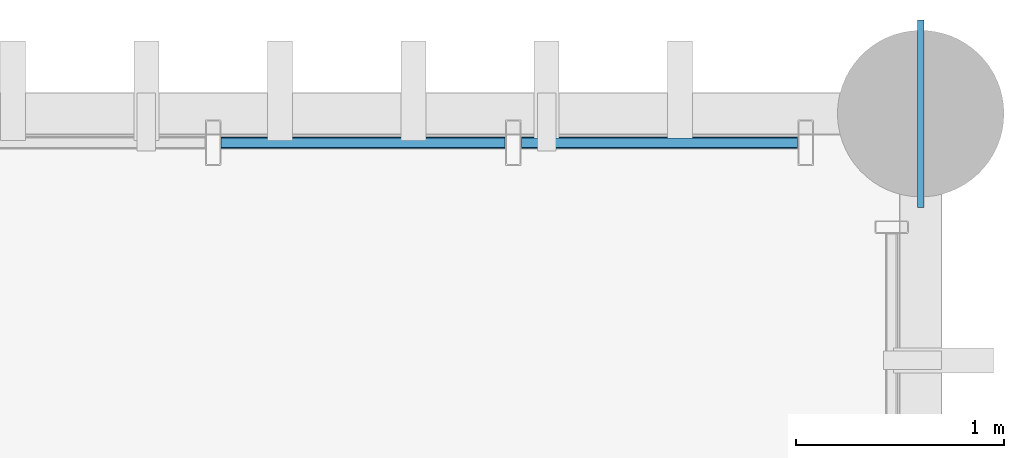
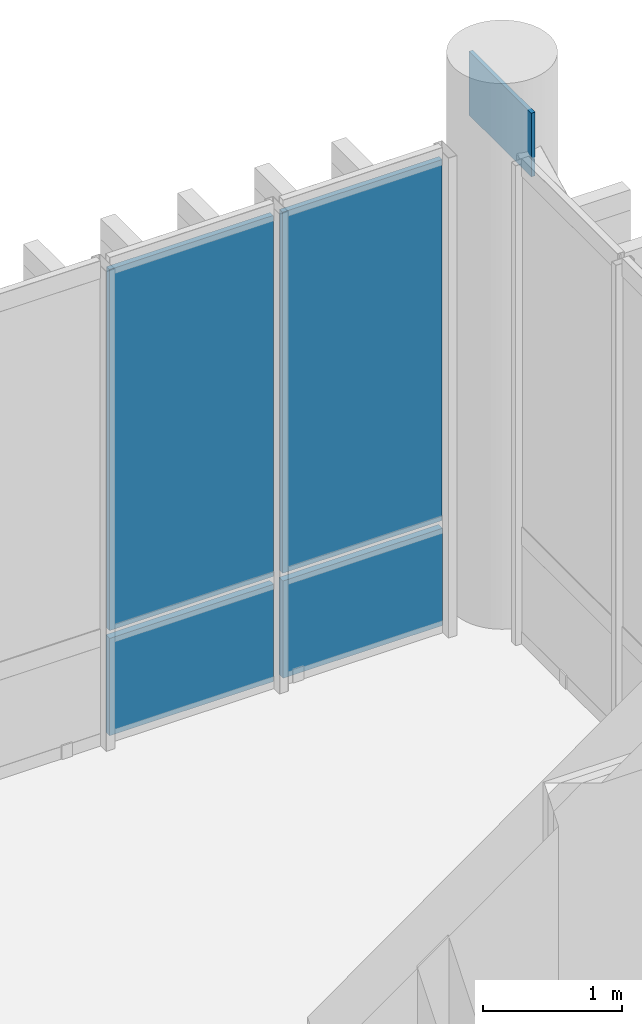
# One storey, part 88 of 109: 5 plates, 1 element without a shape of its own.
"""IFC4 building model written with IfcOpenShell, lengths in metres."""

from ifc_helpers import new_model, si_unit, direction, frame, frame_2d, origin_with_axes, origin_2d_with_axis, place, context, subcontext, project, spatial, rectangle, extrude, material, layer, layer_set, type_object, element, aggregate, save


model = new_model("IFC4")

# Units and contexts
model_context = context("Model", 3, precision=1e-05, world=origin_with_axes(), true_north=direction((0.0, 1.0)))
body_context = subcontext(model_context, "Body", "Model", "MODEL_VIEW")
ifc_project = project(units=[si_unit("LENGTHUNIT", "METRE"), si_unit("AREAUNIT", "SQUARE_METRE"), si_unit("VOLUMEUNIT", "CUBIC_METRE"), si_unit("PLANEANGLEUNIT", "RADIAN"), si_unit("MASSUNIT", "GRAM", prefix="KILO"), si_unit("THERMODYNAMICTEMPERATUREUNIT", "KELVIN")], contexts=[model_context])

# Site, building, storey
site_placement = place(None, origin_with_axes())
site = spatial("IfcSite", under=ifc_project, at=site_placement, CompositionType="ELEMENT")
building_placement = place(site_placement, origin_with_axes())
building = spatial("IfcBuilding", under=site, at=building_placement, Name="Montbau Bow Law Courts", CompositionType="ELEMENT")
storey_placement = place(building_placement, frame((0.0, 0.0, 10.8), z_axis=(0.0, 0.0, 1.0), x_axis=(1.0, 0.0, 0.0)))
storey = spatial("IfcBuildingStorey", under=building, at=storey_placement, Name="L02", CompositionType="ELEMENT", Elevation=10.8)

# Curtain wall, plates
ifc_material_1 = material(Name="Thermally Broken Extruded Aluminium AA 6063-T6", Category="aluminium")
curtain_wall_type = type_object("IfcCurtainWallType", Name="CW-SLT-01", PredefinedType="NOTDEFINED", material=ifc_material_1)
curtain_wall_placement = place(None, frame((163.115, 103.06, 10.8), z_axis=(0.0, 0.0, 1.0), x_axis=(1.0, 0.0, 0.0)))
curtain_wall = element("IfcCurtainWall", 1, at=curtain_wall_placement, inside=storey, type_object=curtain_wall_type, Name="CW-L02-300:cw_0300", PredefinedType="NOTDEFINED")
ifc_material_2 = material(Name="Triple-Glazed Low-E Argon Insulating Glass Unit", Category="glass")
ifc_layer_1 = layer(ifc_material_2, 0.044, Name="Curtain Panel", Category="glass")
ifc_layer_set_1 = layer_set([ifc_layer_1], Name="Triple-Glazed Low-E Argon Insulating Glass Unit")
plate_type_1 = type_object("IfcPlateType", Name="PL-CWP-01", PredefinedType="CURTAIN_PANEL", material=ifc_layer_set_1)
plate_1_placement = place(None, frame((166.039, 103.06, 11.782), z_axis=(0.0, -1.0, 0.0), x_axis=(1.0, 0.0, 0.0)))
plate_1 = element("IfcPlate", 2, at=plate_1_placement, type_object=plate_type_1, Name="CW-L02-300-P03-2:cw_0300_P03_2", PredefinedType="CURTAIN_PANEL", context=body_context, shape_type="SweptSolid", body=[
    extrude(rectangle(XDim=1.364, YDim=3.176, at=frame_2d((0.682, 1.588), x_axis=(1.0, 0.0))), frame((0.0, 0.0, -0.022), z_axis=(0.0, 0.0, 1.0), x_axis=(1.0, 0.0, 0.0)), (0.0, 0.0, 1.0), 0.044),
])
plate_2_placement = place(None, frame((167.481, 103.06, 11.782), z_axis=(0.0, -1.0, 0.0), x_axis=(1.0, 0.0, 0.0)))
plate_2 = element("IfcPlate", 3, at=plate_2_placement, type_object=plate_type_1, Name="CW-L02-300-P04-2:cw_0300_P04_2", PredefinedType="CURTAIN_PANEL", context=body_context, shape_type="SweptSolid", body=[
    extrude(rectangle(XDim=1.327, YDim=3.176, at=frame_2d((0.6635, 1.588), x_axis=(1.0, 0.0))), frame((0.0, 0.0, -0.022), z_axis=(0.0, 0.0, 1.0), x_axis=(1.0, 0.0, 0.0)), (0.0, 0.0, 1.0), 0.044),
])
ifc_material_3 = material(Name="Insulated Ceramic-Frit Spandrel Glazing Unit", Category="glass")
ifc_layer_2 = layer(ifc_material_3, 0.056, Name="Curtain Panel", Category="glass")
ifc_layer_set_2 = layer_set([ifc_layer_2], Name="Insulated Ceramic-Frit Spandrel Glazing Unit")
plate_type_2 = type_object("IfcPlateType", Name="PL-CWP-02", PredefinedType="CURTAIN_PANEL", material=ifc_layer_set_2)
plate_3_placement = place(None, frame((166.039, 103.06, 10.862), z_axis=(0.0, -1.0, 0.0), x_axis=(1.0, 0.0, 0.0)))
plate_3 = element("IfcPlate", 4, at=plate_3_placement, type_object=plate_type_2, Name="CW-L02-300-P03-1:cw_0300_P03_1", PredefinedType="CURTAIN_PANEL", context=body_context, shape_type="SweptSolid", body=[
    extrude(rectangle(XDim=1.364, YDim=0.856, at=frame_2d((0.682, 0.428), x_axis=(1.0, 0.0))), frame((0.0, 0.0, -0.028), z_axis=(0.0, 0.0, 1.0), x_axis=(1.0, 0.0, 0.0)), (0.0, 0.0, 1.0), 0.056),
])
plate_4_placement = place(None, frame((167.481, 103.06, 10.862), z_axis=(0.0, -1.0, 0.0), x_axis=(1.0, 0.0, 0.0)))
plate_4 = element("IfcPlate", 5, at=plate_4_placement, type_object=plate_type_2, Name="CW-L02-300-P04-1:cw_0300_P04_1", PredefinedType="CURTAIN_PANEL", context=body_context, shape_type="SweptSolid", body=[
    extrude(rectangle(XDim=1.327, YDim=0.856, at=frame_2d((0.6635, 0.428), x_axis=(1.0, 0.0))), frame((0.0, 0.0, -0.028), z_axis=(0.0, 0.0, 1.0), x_axis=(1.0, 0.0, 0.0)), (0.0, 0.0, 1.0), 0.056),
])
aggregate(curtain_wall, [plate_3, plate_1, plate_4, plate_2])

# Plate
ifc_material_4 = material(Name="Steel CSA G40.21 Grade 350WT (350 MPa)", Category="steel")
ifc_layer_3 = layer(ifc_material_4, 0.032, Name="Gusset Plate", Category="steel")
ifc_layer_set_3 = layer_set([ifc_layer_3], Name="Steel CSA G40.21 Grade 350WT (350 MPa)")
plate_type_3 = type_object("IfcPlateType", Name="PL-GUS-01", PredefinedType="USERDEFINED", material=ifc_layer_set_3)
plate_5_placement = place(None, frame((169.4, 103.2, 14.777), z_axis=(0.0, 0.0, 1.0), x_axis=(0.0, 1.0, 0.0)))
element("IfcPlate", 6, at=plate_5_placement, inside=storey, type_object=plate_type_3, Name="BGP-L02-169:plt_0200", ObjectType="GUSSET_PLATE", PredefinedType="USERDEFINED", context=body_context, shape_type="SweptSolid", body=[
    extrude(rectangle(XDim=0.9, YDim=0.032, at=origin_2d_with_axis()), origin_with_axes(), (0.0, 0.0, 1.0), 0.56),
])

save(model, "model.ifc")
